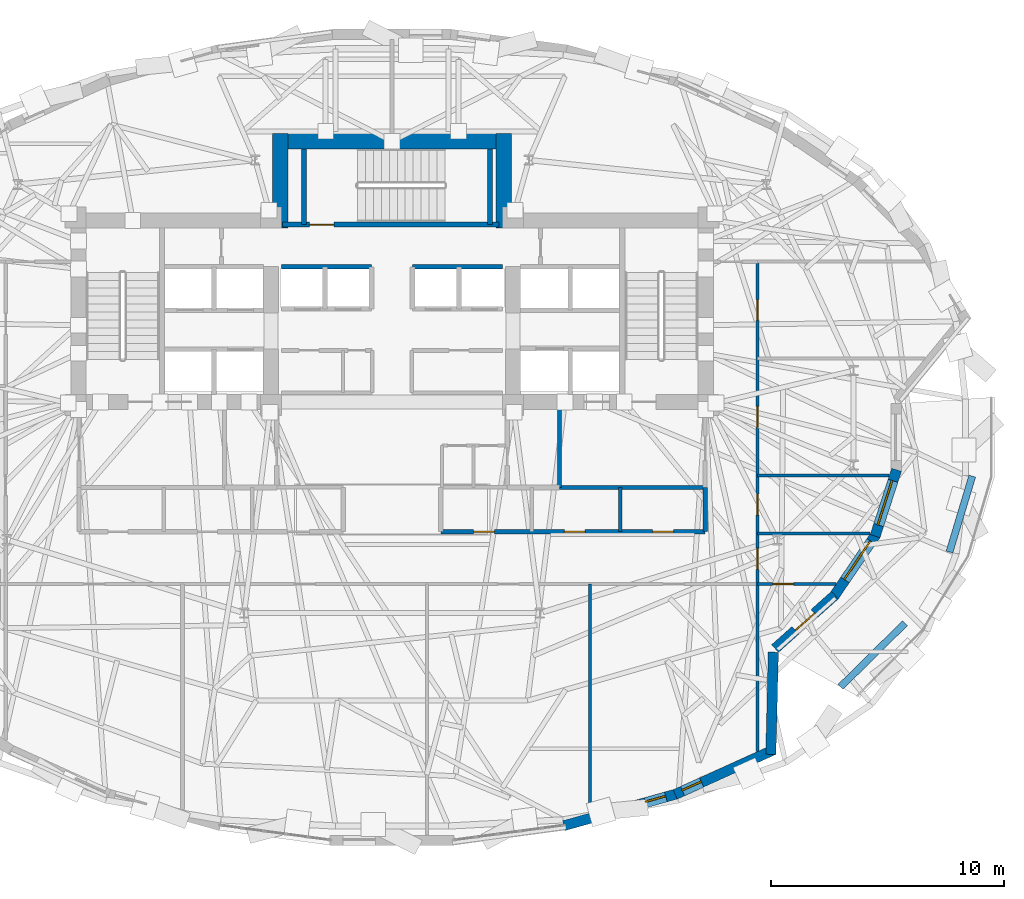
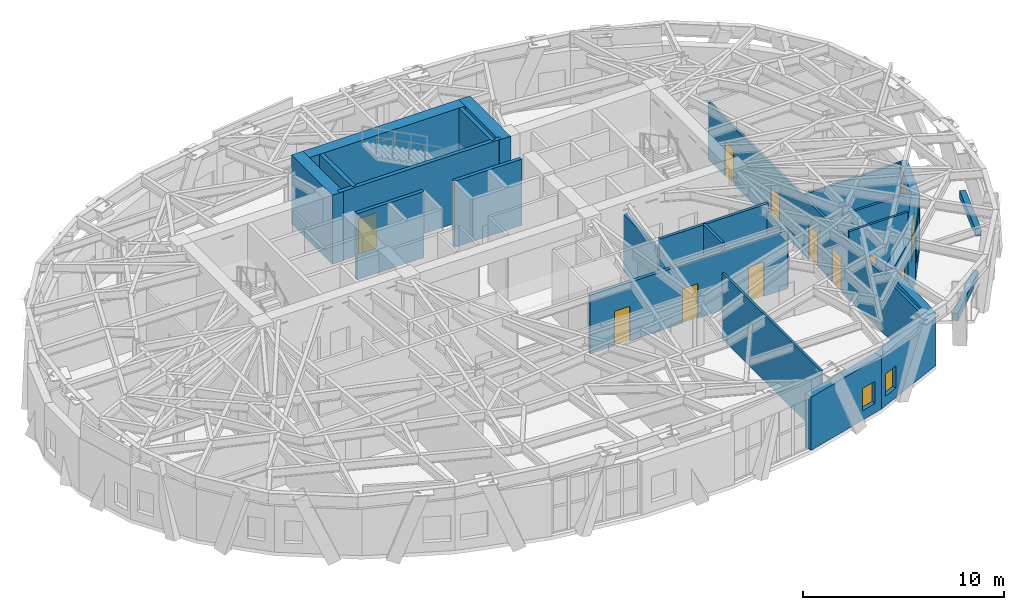
# One storey, part 10 of 16: 26 walls, 10 doors, 4 windows, 14 openings.
"""IFC4 building model written with IfcOpenShell, lengths in metres."""

from ifc_helpers import new_model, si_unit, direction, frame, frame_2d, origin, place, context, subcontext, project, spatial, rectangle, extrude, material, layer, layer_set, type_object, element, fill, save


model = new_model("IFC4")

# Units and contexts
model_context = context("Model", 3, precision=1e-05, world=origin(), true_north=direction((0.0, 1.0)))
body_context = subcontext(model_context, "Body", "Model", "MODEL_VIEW")
ifc_project = project(units=[si_unit("LENGTHUNIT", "METRE"), si_unit("AREAUNIT", "SQUARE_METRE"), si_unit("VOLUMEUNIT", "CUBIC_METRE"), si_unit("PLANEANGLEUNIT", "RADIAN"), si_unit("MASSUNIT", "GRAM", prefix="KILO")], contexts=[model_context])

# Site, building, storey
site_placement = place(None, origin())
site = spatial("IfcSite", under=ifc_project, at=site_placement, CompositionType="ELEMENT")
building_placement = place(site_placement, origin())
building = spatial("IfcBuilding", under=site, at=building_placement, Name="Keldmark Tower", CompositionType="ELEMENT")
storey_placement = place(building_placement, frame((0.0, 0.0, 139.60009765625)))
storey = spatial("IfcBuildingStorey", under=building, at=storey_placement, Name="L37", CompositionType="ELEMENT", Elevation=139.60009765625)

# Wall, openings, doors
ifc_material_1 = material(Name="Acoustic Double-Layer Gypsum Corridor Partition", Category="gypsum")
ifc_layer_1 = layer(ifc_material_1, 0.139892578125)
ifc_layer_set_1 = layer_set([ifc_layer_1], Name="Acoustic Double-Layer Gypsum Corridor Partition")
wall_type_1 = type_object("IfcWallType", Name="Acoustic Corridor Partition 140 mm", PredefinedType="PARTITIONING", material=ifc_layer_set_1)
wall_1_placement = place(storey_placement, frame((15.699951171875, -13.48828125, 0.0), z_axis=(0.0, 0.0, 1.0), x_axis=(0.0, 1.0, 0.0)))
wall_1 = element("IfcWall", 1, at=wall_1_placement, inside=storey, type_object=wall_type_1, Name="L37 Acoustic Corridor Partition 140 mm COR-E", PredefinedType="PARTITIONING", context=body_context, shape_type="SweptSolid", body=[
    extrude(rectangle(XDim=21.038330078125, YDim=0.139892578125, at=frame_2d((10.51904296875, 0.0))), origin(), (0.0, 0.0, 1.0), 3.472900390625),
])
opening_1_placement = place(wall_1_placement, frame((7.82080078125, 0.0, 0.0)))
opening_1 = element("IfcOpeningElement", 2, at=opening_1_placement, cuts=wall_1, Name="Opening D-IN090", PredefinedType="OPENING", context=body_context, shape_type="SweptSolid", body=[
    extrude(rectangle(XDim=0.89990234375, YDim=2.10009765625, at=frame_2d((0.449951171875, 1.050048828125))), frame((0.0, 0.079833984375, 0.0), z_axis=(0.0, -1.0, 0.0), x_axis=(1.0, 0.0, 0.0)), (0.0, 0.0, 1.0), 0.159912109375),
])
opening_2_placement = place(wall_1_placement, frame((10.15283203125, 0.0, 0.0)))
opening_2 = element("IfcOpeningElement", 3, at=opening_2_placement, cuts=wall_1, Name="Opening D-IN090", PredefinedType="OPENING", context=body_context, shape_type="SweptSolid", body=[
    extrude(rectangle(XDim=0.89990234375, YDim=2.10009765625, at=frame_2d((0.449951171875, 1.050048828125))), frame((0.0, 0.079833984375, 0.0), z_axis=(0.0, -1.0, 0.0), x_axis=(1.0, 0.0, 0.0)), (0.0, 0.0, 1.0), 0.159912109375),
])
opening_3_placement = place(wall_1_placement, frame((13.9208984375, 0.0, 0.0)))
opening_3 = element("IfcOpeningElement", 4, at=opening_3_placement, cuts=wall_1, Name="Opening D-IN090", PredefinedType="OPENING", context=body_context, shape_type="SweptSolid", body=[
    extrude(rectangle(XDim=0.89990234375, YDim=2.10009765625, at=frame_2d((0.449951171875, 1.050048828125))), frame((0.0, 0.079833984375, 0.0), z_axis=(0.0, -1.0, 0.0), x_axis=(1.0, 0.0, 0.0)), (0.0, 0.0, 1.0), 0.159912109375),
])
opening_4_placement = place(wall_1_placement, frame((18.512939453125, 0.0, 0.0)))
opening_4 = element("IfcOpeningElement", 5, at=opening_4_placement, cuts=wall_1, Name="Opening D-IN090", PredefinedType="OPENING", context=body_context, shape_type="SweptSolid", body=[
    extrude(rectangle(XDim=0.89990234375, YDim=2.10009765625, at=frame_2d((0.449951171875, 1.050048828125))), frame((0.0, 0.079833984375, 0.0), z_axis=(0.0, -1.0, 0.0), x_axis=(1.0, 0.0, 0.0)), (0.0, 0.0, 1.0), 0.159912109375),
])
ifc_material_2 = material(Name="Stained American White Oak Veneer", Category="wood")
door_type_1 = type_object("IfcDoorType", Name="Interior Door 900x2100", OperationType="NOTDEFINED", PredefinedType="DOOR", material=ifc_material_2)
door_1_placement = place(opening_1_placement, origin())
door_1 = element("IfcDoor", 6, at=door_1_placement, inside=storey, type_object=door_type_1, Name="L37 Interior Door 900x2100 D-ER-1-L37", OperationType="SINGLE_SWING_LEFT", OverallHeight=2.10009765625, OverallWidth=0.89990234375, PredefinedType="DOOR", context=body_context, shape_type="SweptSolid", body=[
    extrude(rectangle(XDim=0.89990234375, YDim=2.10009765625, at=frame_2d((0.449951171875, 1.050048828125))), frame((0.0, 0.02490234375, 0.0), z_axis=(0.0, -1.0, 0.0), x_axis=(1.0, 0.0, 0.0)), (0.0, 0.0, 1.0), 0.050048828125),
])
fill(opening_1, door_1)
door_2_placement = place(opening_2_placement, origin())
door_2 = element("IfcDoor", 7, at=door_2_placement, inside=storey, type_object=door_type_1, Name="L37 Interior Door 900x2100 D-ETERR-L37", OperationType="SINGLE_SWING_RIGHT", OverallHeight=2.10009765625, OverallWidth=0.89990234375, PredefinedType="DOOR", context=body_context, shape_type="SweptSolid", body=[
    extrude(rectangle(XDim=0.89990234375, YDim=2.10009765625, at=frame_2d((0.449951171875, 1.050048828125))), frame((0.0, 0.02490234375, 0.0), z_axis=(0.0, -1.0, 0.0), x_axis=(1.0, 0.0, 0.0)), (0.0, 0.0, 1.0), 0.050048828125),
])
fill(opening_2, door_2)
door_3_placement = place(opening_3_placement, origin())
door_3 = element("IfcDoor", 8, at=door_3_placement, inside=storey, type_object=door_type_1, Name="L37 Interior Door 900x2100 D-ER-3-L37", OperationType="SINGLE_SWING_RIGHT", OverallHeight=2.10009765625, OverallWidth=0.89990234375, PredefinedType="DOOR", context=body_context, shape_type="SweptSolid", body=[
    extrude(rectangle(XDim=0.89990234375, YDim=2.10009765625, at=frame_2d((0.449951171875, 1.050048828125))), frame((0.0, 0.02490234375, 0.0), z_axis=(0.0, -1.0, 0.0), x_axis=(1.0, 0.0, 0.0)), (0.0, 0.0, 1.0), 0.050048828125),
])
fill(opening_3, door_3)
door_4_placement = place(opening_4_placement, origin())
door_4 = element("IfcDoor", 9, at=door_4_placement, inside=storey, type_object=door_type_1, Name="L37 Interior Door 900x2100 D-ER-4-L37", OperationType="SINGLE_SWING_LEFT", OverallHeight=2.10009765625, OverallWidth=0.89990234375, PredefinedType="DOOR", context=body_context, shape_type="SweptSolid", body=[
    extrude(rectangle(XDim=0.89990234375, YDim=2.10009765625, at=frame_2d((0.449951171875, 1.050048828125))), frame((0.0, 0.02490234375, 0.0), z_axis=(0.0, -1.0, 0.0), x_axis=(1.0, 0.0, 0.0)), (0.0, 0.0, 1.0), 0.050048828125),
])
fill(opening_4, door_4)

ifc_material_3 = material(Name="Heavy Acoustic Plumbing Chase Gypsum Assembly", Category="gypsum")
ifc_layer_2 = layer(ifc_material_3, 0.18994140625)
ifc_layer_set_2 = layer_set([ifc_layer_2], Name="Heavy Acoustic Plumbing Chase Gypsum Assembly")
wall_type_2 = type_object("IfcWallType", Name="Heavy Wet Wall 190 mm", PredefinedType="PLUMBINGWALL", material=ifc_layer_set_2)
wall_2_placement = place(storey_placement, frame((2.10009765625, -4.050048828125, 0.0), z_axis=(0.0, 0.0, 1.0), x_axis=(1.0, 0.0, 0.0)))
wall_2 = element("IfcWall", 10, at=wall_2_placement, inside=storey, type_object=wall_type_2, Name="L37 Heavy Wet Wall 190 mm SPK-E-S", PredefinedType="PLUMBINGWALL", context=body_context, shape_type="SweptSolid", body=[
    extrude(rectangle(XDim=11.349853515625, YDim=0.18994140625, at=frame_2d((5.6748046875, 0.0))), origin(), (0.0, 0.0, 1.0), 3.554931640625),
])
opening_5_placement = place(wall_2_placement, frame((1.39990234375, 0.0, 0.0)))
opening_5 = element("IfcOpeningElement", 11, at=opening_5_placement, cuts=wall_2, Name="Opening D-IN090", PredefinedType="OPENING", context=body_context, shape_type="SweptSolid", body=[
    extrude(rectangle(XDim=0.89990234375, YDim=2.10009765625, at=frame_2d((0.449951171875, 1.050048828125))), frame((0.0, 0.10498046875, 0.0), z_axis=(0.0, -1.0, 0.0), x_axis=(1.0, 0.0, 0.0)), (0.0, 0.0, 1.0), 0.2099609375),
])
opening_6_placement = place(wall_2_placement, frame((5.300048828125, 0.0, 0.0)))
opening_6 = element("IfcOpeningElement", 12, at=opening_6_placement, cuts=wall_2, Name="Opening D-IN090", PredefinedType="OPENING", context=body_context, shape_type="SweptSolid", body=[
    extrude(rectangle(XDim=0.89990234375, YDim=2.10009765625, at=frame_2d((0.449951171875, 1.050048828125))), frame((0.0, 0.10498046875, 0.0), z_axis=(0.0, -1.0, 0.0), x_axis=(1.0, 0.0, 0.0)), (0.0, 0.0, 1.0), 0.2099609375),
])
opening_7_placement = place(wall_2_placement, frame((9.10009765625, 0.0, 0.0)))
opening_7 = element("IfcOpeningElement", 13, at=opening_7_placement, cuts=wall_2, Name="Opening D-IN090", PredefinedType="OPENING", context=body_context, shape_type="SweptSolid", body=[
    extrude(rectangle(XDim=0.89990234375, YDim=2.10009765625, at=frame_2d((0.449951171875, 1.050048828125))), frame((0.0, 0.10498046875, 0.0), z_axis=(0.0, -1.0, 0.0), x_axis=(1.0, 0.0, 0.0)), (0.0, 0.0, 1.0), 0.2099609375),
])
door_5_placement = place(opening_5_placement, origin())
door_5 = element("IfcDoor", 14, at=door_5_placement, inside=storey, type_object=door_type_1, Name="L37 Interior Door 900x2100 D-SPKE1-L37", OperationType="SINGLE_SWING_RIGHT", OverallHeight=2.10009765625, OverallWidth=0.89990234375, PredefinedType="DOOR", context=body_context, shape_type="SweptSolid", body=[
    extrude(rectangle(XDim=0.89990234375, YDim=2.10009765625, at=frame_2d((0.449951171875, 1.050048828125))), frame((0.0, 0.02490234375, 0.0), z_axis=(0.0, -1.0, 0.0), x_axis=(1.0, 0.0, 0.0)), (0.0, 0.0, 1.0), 0.050048828125),
])
fill(opening_5, door_5)
door_6_placement = place(opening_6_placement, origin())
door_6 = element("IfcDoor", 15, at=door_6_placement, inside=storey, type_object=door_type_1, Name="L37 Interior Door 900x2100 D-SPKE2-L37", OperationType="SINGLE_SWING_LEFT", OverallHeight=2.10009765625, OverallWidth=0.89990234375, PredefinedType="DOOR", context=body_context, shape_type="SweptSolid", body=[
    extrude(rectangle(XDim=0.89990234375, YDim=2.10009765625, at=frame_2d((0.449951171875, 1.050048828125))), frame((0.0, 0.02490234375, 0.0), z_axis=(0.0, -1.0, 0.0), x_axis=(1.0, 0.0, 0.0)), (0.0, 0.0, 1.0), 0.050048828125),
])
fill(opening_6, door_6)
door_7_placement = place(opening_7_placement, origin())
door_7 = element("IfcDoor", 16, at=door_7_placement, inside=storey, type_object=door_type_1, Name="L37 Interior Door 900x2100 D-SPKE3-L37", OperationType="SINGLE_SWING_RIGHT", OverallHeight=2.10009765625, OverallWidth=0.89990234375, PredefinedType="DOOR", context=body_context, shape_type="SweptSolid", body=[
    extrude(rectangle(XDim=0.89990234375, YDim=2.10009765625, at=frame_2d((0.449951171875, 1.050048828125))), frame((0.0, 0.02490234375, 0.0), z_axis=(0.0, -1.0, 0.0), x_axis=(1.0, 0.0, 0.0)), (0.0, 0.0, 1.0), 0.050048828125),
])
fill(opening_7, door_7)

# Walls
wall_3_placement = place(storey_placement, frame((13.449951171875, -4.050048828125, 0.0), z_axis=(0.0, 0.0, 1.0), x_axis=(0.0, 1.0, 0.0)))
element("IfcWall", 17, at=wall_3_placement, inside=storey, type_object=wall_type_2, Name="L37 Heavy Wet Wall 190 mm SPK-E-E", PredefinedType="PLUMBINGWALL", context=body_context, shape_type="SweptSolid", body=[
    extrude(rectangle(XDim=1.900146484375, YDim=0.18994140625, at=frame_2d((0.9501953125, 0.0))), origin(), (0.0, 0.0, 1.0), 3.472900390625),
])
ifc_material_4 = material(Name="Acoustic Gypsum Board Interior Partition", Category="gypsum")
ifc_layer_3 = layer(ifc_material_4, 0.1298828125)
ifc_layer_set_3 = layer_set([ifc_layer_3], Name="Acoustic Gypsum Board Interior Partition")
wall_type_3 = type_object("IfcWallType", Name="Interior Partition 130 mm", PredefinedType="PARTITIONING", material=ifc_layer_set_3)
wall_4_placement = place(storey_placement, frame((8.5, -16.128662109375, 0.0), z_axis=(0.0, 0.0, 1.0), x_axis=(0.0, 1.0, 0.0)))
element("IfcWall", 18, at=wall_4_placement, inside=storey, type_object=wall_type_3, Name="L37 Interior Partition 130 mm S-DIV-3", PredefinedType="PARTITIONING", context=body_context, shape_type="SweptSolid", body=[
    extrude(rectangle(XDim=9.82861328125, YDim=0.1298828125, at=frame_2d((4.914306640625, 0.0))), origin(), (0.0, 0.0, 1.0), 4.02001953125),
])

# Wall, opening, door
wall_5_placement = place(storey_placement, frame((15.699951171875, -6.300048828125, 0.0), z_axis=(0.0, 0.0, 1.0), x_axis=(1.0, 0.0, 0.0)))
wall_5 = element("IfcWall", 19, at=wall_5_placement, inside=storey, type_object=wall_type_3, Name="L37 Interior Partition 130 mm E-CAP-S", PredefinedType="PARTITIONING", context=body_context, shape_type="SweptSolid", body=[
    extrude(rectangle(XDim=3.365234375, YDim=0.1298828125, at=frame_2d((1.6826171875, 0.0))), origin(), (0.0, 0.0, 1.0), 4.02001953125),
])
opening_8_placement = place(wall_5_placement, frame((0.64990234375, 0.0, 0.0)))
opening_8 = element("IfcOpeningElement", 20, at=opening_8_placement, cuts=wall_5, Name="Opening D-IN090", PredefinedType="OPENING", context=body_context, shape_type="SweptSolid", body=[
    extrude(rectangle(XDim=0.89990234375, YDim=2.10009765625, at=frame_2d((0.449951171875, 1.050048828125))), frame((0.0, 0.074951171875, 0.0), z_axis=(0.0, -1.0, 0.0), x_axis=(1.0, 0.0, 0.0)), (0.0, 0.0, 1.0), 0.14990234375),
])
door_8_placement = place(opening_8_placement, origin())
door_8 = element("IfcDoor", 21, at=door_8_placement, inside=storey, type_object=door_type_1, Name="L37 Interior Door 900x2100 D-ERSE-L37", OperationType="SINGLE_SWING_RIGHT", OverallHeight=2.10009765625, OverallWidth=0.89990234375, PredefinedType="DOOR", context=body_context, shape_type="SweptSolid", body=[
    extrude(rectangle(XDim=0.89990234375, YDim=2.10009765625, at=frame_2d((0.449951171875, 1.050048828125))), frame((0.0, 0.02490234375, 0.0), z_axis=(0.0, -1.0, 0.0), x_axis=(1.0, 0.0, 0.0)), (0.0, 0.0, 1.0), 0.050048828125),
])
fill(opening_8, door_8)

# Walls
wall_6_placement = place(storey_placement, frame((15.699951171875, -4.135009765625, 0.0), z_axis=(0.0, 0.0, 1.0), x_axis=(1.0, 0.0, 0.0)))
element("IfcWall", 22, at=wall_6_placement, inside=storey, type_object=wall_type_3, Name="L37 Interior Partition 130 mm E-DIV-1", PredefinedType="PARTITIONING", context=body_context, shape_type="SweptSolid", body=[
    extrude(rectangle(XDim=4.839111328125, YDim=0.1298828125, at=frame_2d((2.41943359375, 0.0))), origin(), (0.0, 0.0, 1.0), 3.39794921875),
])
wall_7_placement = place(storey_placement, frame((15.699951171875, -1.635009765625, 0.0), z_axis=(0.0, 0.0, 1.0), x_axis=(1.0, 0.0, 0.0)))
element("IfcWall", 23, at=wall_7_placement, inside=storey, type_object=wall_type_3, Name="L37 Interior Partition 130 mm E-DIV-2", PredefinedType="PARTITIONING", context=body_context, shape_type="SweptSolid", body=[
    extrude(rectangle(XDim=5.656494140625, YDim=0.1298828125, at=frame_2d((2.828125, 0.0))), origin(), (0.0, 0.0, 1.0), 3.39794921875),
])
ifc_material_5 = material(Name="Type X Fire-Rated Gypsum Partition Assembly", Category="gypsum")
ifc_layer_4 = layer(ifc_material_5, 0.1650390625)
ifc_layer_set_4 = layer_set([ifc_layer_4], Name="Type X Fire-Rated Gypsum Partition Assembly")
wall_type_4 = type_object("IfcWallType", Name="Rated Partition 165 mm", PredefinedType="PARTITIONING", material=ifc_layer_set_4)
wall_8_placement = place(storey_placement, frame((7.199951171875, -2.14990234375, 0.0), z_axis=(0.0, 0.0, 1.0), x_axis=(1.0, 0.0, 0.0)))
element("IfcWall", 24, at=wall_8_placement, inside=storey, type_object=wall_type_4, Name="L37 Rated Partition 165 mm FSAE-E-S", PredefinedType="PARTITIONING", context=body_context, shape_type="SweptSolid", body=[
    extrude(rectangle(XDim=6.25, YDim=0.1650390625, at=frame_2d((3.125, 0.0))), origin(), (0.0, 0.0, 1.0), 4.02001953125),
])
wall_9_placement = place(storey_placement, frame((7.199951171875, -2.14990234375, 0.0), z_axis=(0.0, 0.0, 1.0), x_axis=(0.0, 1.0, 0.0)))
element("IfcWall", 25, at=wall_9_placement, inside=storey, type_object=wall_type_4, Name="L37 Rated Partition 165 mm FSAE-E-W", PredefinedType="PARTITIONING", context=body_context, shape_type="SweptSolid", body=[
    extrude(rectangle(XDim=3.39990234375, YDim=0.1650390625, at=frame_2d((1.699951171875, 0.0))), origin(), (0.0, 0.0, 1.0), 3.472900390625),
])
ifc_material_6 = material(Name="Fire-Resistant Type X Gypsum Shaftliner Coreboard", Category="gypsum")
ifc_layer_5 = layer(ifc_material_6, 0.199951171875)
ifc_layer_set_5 = layer_set([ifc_layer_5], Name="Fire-Resistant Type X Gypsum Shaftliner Coreboard")
wall_type_5 = type_object("IfcWallType", Name="Shaft Wall 200 mm", PredefinedType="SOLIDWALL", material=ifc_layer_set_5)
for number, where, z_axis, x_axis, name in (
    (26, (-4.739990234375, 7.330078125, 0.0), (0.0, 0.0, 1.0), (1.0, 0.0, 0.0), "L37 Shaft Wall 200 mm MID-N-W"),
    (27, (0.8798828125, 7.330078125, 0.0), (0.0, 0.0, 1.0), (1.0, 0.0, 0.0), "L37 Shaft Wall 200 mm MID-N-E"),
):
    element("IfcWall", number, at=place(storey_placement, frame(where, z_axis=z_axis, x_axis=x_axis)), inside=storey, type_object=wall_type_5, Name=name, PredefinedType="SOLIDWALL", context=body_context, shape_type="SweptSolid", body=[
        extrude(rectangle(XDim=3.860107421875, YDim=0.199951171875, at=frame_2d((1.93017578125, 0.0))), origin(), (0.0, 0.0, 1.0), 4.02001953125),
    ])

# Wall, opening, door
ifc_material_7 = material(Name="Concrete C50/60", Category="concrete")
ifc_layer_6 = layer(ifc_material_7, 0.219970703125)
ifc_layer_set_6 = layer_set([ifc_layer_6], Name="Concrete C50/60")
wall_type_6 = type_object("IfcWallType", Name="Stair Core Shear Wall 220 mm", PredefinedType="SHEAR", material=ifc_layer_set_6)
wall_10_placement = place(storey_placement, frame((-4.699951171875, 9.139892578125, 0.0), z_axis=(0.0, 0.0, 1.0), x_axis=(1.0, 0.0, 0.0)))
wall_10 = element("IfcWall", 28, at=wall_10_placement, inside=storey, type_object=wall_type_6, Name="L37 Central Stair Core South Shear Wall", PredefinedType="SHEAR", context=body_context, shape_type="SweptSolid", body=[
    extrude(rectangle(XDim=9.300048828125, YDim=0.219970703125, at=frame_2d((4.64990234375, 0.0))), origin(), (0.0, 0.0, 1.0), 4.199951171875),
])
opening_9_placement = place(wall_10_placement, frame((1.14990234375, 0.0, 0.0)))
opening_9 = element("IfcOpeningElement", 29, at=opening_9_placement, cuts=wall_10, Name="Opening D-ST105", PredefinedType="OPENING", context=body_context, shape_type="SweptSolid", body=[
    extrude(rectangle(XDim=1.050048828125, YDim=2.14990234375, at=frame_2d((0.52490234375, 1.074951171875))), frame((0.0, 0.119873046875, 0.0), z_axis=(0.0, -1.0, 0.0), x_axis=(1.0, 0.0, 0.0)), (0.0, 0.0, 1.0), 0.239990234375),
])
ifc_material_8 = material(Name="Hollow Metal Fire-Rated Door Assembly", Category="metal")
door_type_2 = type_object("IfcDoorType", Name="Stair Fire Door 1050x2150", OperationType="NOTDEFINED", PredefinedType="DOOR", material=ifc_material_8)
door_9_placement = place(opening_9_placement, origin())
door_9 = element("IfcDoor", 30, at=door_9_placement, inside=storey, type_object=door_type_2, Name="L37 Stair Fire Door 1050x2150 D-ST3-L37", OperationType="SINGLE_SWING_RIGHT", OverallHeight=2.14990234375, OverallWidth=1.050048828125, PredefinedType="DOOR", context=body_context, shape_type="SweptSolid", body=[
    extrude(rectangle(XDim=1.050048828125, YDim=2.14990234375, at=frame_2d((0.52490234375, 1.074951171875))), frame((0.0, 0.02490234375, 0.0), z_axis=(0.0, -1.0, 0.0), x_axis=(1.0, 0.0, 0.0)), (0.0, 0.0, 1.0), 0.050048828125),
])
fill(opening_9, door_9)

# Walls
for number, where, z_axis, x_axis, name in (
    (31, (-3.784912109375, 9.139892578125, 0.0), (0.0, 0.0, 1.0), (0.0, 1.0, 0.0), "L37 Central Stair Core West Shear Wall"),
    (32, (4.215087890625, 9.139892578125, 0.0), (0.0, 0.0, 1.0), (0.0, 1.0, 0.0), "L37 Central Stair Core East Shear Wall"),
):
    element("IfcWall", number, at=place(storey_placement, frame(where, z_axis=z_axis, x_axis=x_axis)), inside=storey, type_object=wall_type_6, Name=name, PredefinedType="SHEAR", context=body_context, shape_type="SweptSolid", body=[
        extrude(rectangle(XDim=3.260009765625, YDim=0.219970703125, at=frame_2d((1.6298828125, 0.0))), origin(), (0.0, 0.0, 1.0), 4.199951171875),
    ])
ifc_material_9 = material(Name="Ironspot Manganese Brick Planter Masonry", Category="masonry")
ifc_layer_7 = layer(ifc_material_9, 0.300048828125)
ifc_layer_set_7 = layer_set([ifc_layer_7], Name="Ironspot Manganese Brick Planter Masonry")
wall_type_7 = type_object("IfcWallType", Name="Terrace Brick Planter Kerb Wall 300 mm", PredefinedType="PARAPET", material=ifc_layer_set_7)
wall_11_placement = place(storey_placement, frame((19.26806640625, -10.71630859375, 0.0), z_axis=(0.0, 0.0, 1.0), x_axis=(0.711578739804, 0.702606359962, 0.0)))
element("IfcWall", 33, at=wall_11_placement, inside=storey, type_object=wall_type_7, Name="L37 Sky Garden Planter 01", PredefinedType="PARAPET", context=body_context, shape_type="SweptSolid", body=[
    extrude(rectangle(XDim=3.89111328125, YDim=0.300048828125, at=frame_2d((1.945556640625, 0.0))), origin(), (0.0, 0.0, 1.0), 0.449951171875),
])
wall_12_placement = place(storey_placement, frame((23.949951171875, -4.923583984375, 0.0), z_axis=(0.0, 0.0, 1.0), x_axis=(0.287110931175, 0.957897339593, 0.0)))
element("IfcWall", 34, at=wall_12_placement, inside=storey, type_object=wall_type_7, Name="L37 Sky Garden Planter 03", PredefinedType="PARAPET", context=body_context, shape_type="SweptSolid", body=[
    extrude(rectangle(XDim=3.403076171875, YDim=0.300048828125, at=frame_2d((1.70166015625, 0.0))), origin(), (0.0, 0.0, 1.0), 0.449951171875),
])

# Wall, opening, window
ifc_material_10 = material(Name="Ironspot Manganese Brick and Kasota Buff Limestone Spandrel Assembly", Category="masonry")
ifc_layer_8 = layer(ifc_material_10, 0.43994140625)
ifc_layer_set_8 = layer_set([ifc_layer_8], Name="Ironspot Manganese Brick and Kasota Buff Limestone Spandrel Assembly")
wall_type_8 = type_object("IfcWallType", Name="Tower Brick Pier and Spandrel Wall 440 mm", PredefinedType="STANDARD", material=ifc_layer_set_8)
wall_13_placement = place(storey_placement, frame((12.19677734375, -15.32763671875, 0.0), z_axis=(0.0, 0.0, 1.0), x_axis=(-0.962784823987, -0.270269093129, 0.0)))
wall_13 = element("IfcWall", 35, at=wall_13_placement, inside=storey, type_object=wall_type_8, Name="L37 Exterior Brick and Spandrel Wall 26", PredefinedType="STANDARD", context=body_context, shape_type="SweptSolid", body=[
    extrude(rectangle(XDim=5.000732421875, YDim=0.43994140625, at=frame_2d((2.50048828125, 0.0))), origin(), (0.0, 0.0, 1.0), 3.23779296875),
])
opening_10_placement = place(wall_13_placement, frame((0.44677734375, 0.0, 0.580078125)))
opening_10 = element("IfcOpeningElement", 36, at=opening_10_placement, cuts=wall_13, Name="Opening W-09", PredefinedType="OPENING", context=body_context, shape_type="SweptSolid", body=[
    extrude(rectangle(XDim=0.89990234375, YDim=1.35009765625, at=frame_2d((0.449951171875, 0.675048828125))), frame((0.0, 0.22998046875, 0.0), z_axis=(0.0, -1.0, 0.0), x_axis=(1.0, 0.0, 0.0)), (0.0, 0.0, 1.0), 0.4599609375),
])
ifc_material_11 = material(Name="Thermally Broken Anodized Aluminum and Triple Low-E Argon Glazing", Category="aluminium")
window_type_1 = type_object("IfcWindowType", Name="Corner Pier Deep-Set Window 900x1350", PartitioningType="SINGLE_PANEL", PredefinedType="WINDOW", material=ifc_material_11)
window_1_placement = place(opening_10_placement, origin())
window_1 = element("IfcWindow", 37, at=window_1_placement, inside=storey, type_object=window_type_1, Name="L37 Deep-Set Window 26", OverallHeight=1.35009765625, OverallWidth=0.89990234375, PartitioningType="SINGLE_PANEL", PredefinedType="WINDOW", context=body_context, shape_type="SweptSolid", body=[
    extrude(rectangle(XDim=0.89990234375, YDim=1.35009765625, at=frame_2d((0.449951171875, 0.675048828125))), frame((0.0, -0.010009765625, 0.0), z_axis=(0.0, -1.0, 0.0), x_axis=(1.0, 0.0, 0.0)), (0.0, 0.0, 1.0), 0.06005859375),
])
fill(opening_10, window_1)

wall_14_placement = place(storey_placement, frame((16.4033203125, -13.419921875, 0.0), z_axis=(0.0, 0.0, 1.0), x_axis=(-0.910938924115, -0.412541242221, 0.0)))
wall_14 = element("IfcWall", 38, at=wall_14_placement, inside=storey, type_object=wall_type_8, Name="L37 Exterior Brick and Spandrel Wall 27", PredefinedType="STANDARD", context=body_context, shape_type="SweptSolid", body=[
    extrude(rectangle(XDim=4.652099609375, YDim=0.43994140625, at=frame_2d((2.326171875, 0.0))), origin(), (0.0, 0.0, 1.0), 3.23779296875),
])
opening_11_placement = place(wall_14_placement, frame((3.404296875, 0.0, 0.580078125)))
opening_11 = element("IfcOpeningElement", 39, at=opening_11_placement, cuts=wall_14, Name="Opening W-09", PredefinedType="OPENING", context=body_context, shape_type="SweptSolid", body=[
    extrude(rectangle(XDim=0.89990234375, YDim=1.35009765625, at=frame_2d((0.449951171875, 0.675048828125))), frame((0.0, 0.22998046875, 0.0), z_axis=(0.0, -1.0, 0.0), x_axis=(1.0, 0.0, 0.0)), (0.0, 0.0, 1.0), 0.4599609375),
])
window_2_placement = place(opening_11_placement, origin())
window_2 = element("IfcWindow", 40, at=window_2_placement, inside=storey, type_object=window_type_1, Name="L37 Deep-Set Window 27", OverallHeight=1.35009765625, OverallWidth=0.89990234375, PartitioningType="SINGLE_PANEL", PredefinedType="WINDOW", context=body_context, shape_type="SweptSolid", body=[
    extrude(rectangle(XDim=0.89990234375, YDim=1.35009765625, at=frame_2d((0.449951171875, 0.675048828125))), frame((0.0, -0.010009765625, 0.0), z_axis=(0.0, -1.0, 0.0), x_axis=(1.0, 0.0, 0.0)), (0.0, 0.0, 1.0), 0.06005859375),
])
fill(opening_11, window_2)

# Wall
wall_15_placement = place(storey_placement, frame((16.3828125, -9.228515625, 0.0), z_axis=(0.0, 0.0, 1.0), x_axis=(-0.02470442983, -0.999694799, 0.0)))
element("IfcWall", 41, at=wall_15_placement, inside=storey, type_object=wall_type_8, Name="L37 Exterior Brick and Spandrel Wall 28", PredefinedType="STANDARD", context=body_context, shape_type="SweptSolid", body=[
    extrude(rectangle(XDim=4.3876953125, YDim=0.43994140625, at=frame_2d((2.19384765625, 0.0))), origin(), (0.0, 0.0, 1.0), 3.241943359375),
])

# Wall, opening, door
wall_16_placement = place(storey_placement, frame((19.022705078125, -6.779541015625, 0.0), z_axis=(0.0, 0.0, 1.0), x_axis=(-0.746170592537, -0.665754794825, 0.0)))
wall_16 = element("IfcWall", 42, at=wall_16_placement, inside=storey, type_object=wall_type_8, Name="L37 Exterior Brick and Spandrel Wall 29", PredefinedType="STANDARD", context=body_context, shape_type="SweptSolid", body=[
    extrude(rectangle(XDim=3.439697265625, YDim=0.43994140625, at=frame_2d((1.7197265625, 0.0))), origin(), (0.0, 0.0, 1.0), 3.241943359375),
])
opening_12_placement = place(wall_16_placement, frame((1.169921875, 0.0, 0.0)))
opening_12 = element("IfcOpeningElement", 43, at=opening_12_placement, cuts=wall_16, Name="Opening TD-01", PredefinedType="OPENING", context=body_context, shape_type="SweptSolid", body=[
    extrude(rectangle(XDim=1.10009765625, YDim=2.14990234375, at=frame_2d((0.550048828125, 1.074951171875))), frame((0.0, 0.22998046875, 0.0), z_axis=(0.0, -1.0, 0.0), x_axis=(1.0, 0.0, 0.0)), (0.0, 0.0, 1.0), 0.4599609375),
])
ifc_material_12 = material(Name="Thermally Broken Painted Aluminum and Laminated Safety Glass", Category="aluminium")
door_type_3 = type_object("IfcDoorType", Name="Sky Garden Terrace Glazed Door 1100x2150", OperationType="SINGLE_SWING_LEFT", PredefinedType="DOOR", material=ifc_material_12)
door_10_placement = place(opening_12_placement, origin())
door_10 = element("IfcDoor", 44, at=door_10_placement, inside=storey, type_object=door_type_3, Name="L37 Sky-Garden Terrace Door 29", OperationType="SINGLE_SWING_LEFT", OverallHeight=2.14990234375, OverallWidth=1.10009765625, PredefinedType="DOOR", context=body_context, shape_type="SweptSolid", body=[
    extrude(rectangle(XDim=1.10009765625, YDim=2.14990234375, at=frame_2d((0.550048828125, 1.074951171875))), frame((0.0, 0.02490234375, 0.0), z_axis=(0.0, -1.0, 0.0), x_axis=(1.0, 0.0, 0.0)), (0.0, 0.0, 1.0), 0.050048828125),
])
fill(opening_12, door_10)

# Wall, opening, window
wall_17_placement = place(storey_placement, frame((20.780517578125, -4.185546875, 0.0), z_axis=(0.0, 0.0, 1.0), x_axis=(-0.562718580525, -0.826648534222, 0.0)))
wall_17 = element("IfcWall", 45, at=wall_17_placement, inside=storey, type_object=wall_type_8, Name="L37 Exterior Brick and Spandrel Wall 30", PredefinedType="STANDARD", context=body_context, shape_type="SweptSolid", body=[
    extrude(rectangle(XDim=3.186767578125, YDim=0.43994140625, at=frame_2d((1.59326171875, 0.0))), origin(), (0.0, 0.0, 1.0), 3.241943359375),
])
opening_13_placement = place(wall_17_placement, frame((0.347412109375, 0.0, 0.60009765625)))
opening_13 = element("IfcOpeningElement", 46, at=opening_13_placement, cuts=wall_17, Name="Opening W-06", PredefinedType="OPENING", context=body_context, shape_type="SweptSolid", body=[
    extrude(rectangle(XDim=2.0, YDim=2.10009765625, at=frame_2d((1.0, 1.050048828125))), frame((0.0, 0.22998046875, 0.0), z_axis=(0.0, -1.0, 0.0), x_axis=(1.0, 0.0, 0.0)), (0.0, 0.0, 1.0), 0.4599609375),
])
ifc_material_13 = material(Name="Thermally Broken Anodized Aluminum and Triple Low-E Argon Glazing", Category="aluminium")
window_type_2 = type_object("IfcWindowType", Name="Sky Lounge Tall Punched Window 2000x2100", PartitioningType="SINGLE_PANEL", PredefinedType="WINDOW", material=ifc_material_13)
window_3_placement = place(opening_13_placement, origin())
window_3 = element("IfcWindow", 47, at=window_3_placement, inside=storey, type_object=window_type_2, Name="L37 Deep-Set Window 30", OverallHeight=2.10009765625, OverallWidth=2.0, PartitioningType="SINGLE_PANEL", PredefinedType="WINDOW", context=body_context, shape_type="SweptSolid", body=[
    extrude(rectangle(XDim=2.0, YDim=2.10009765625, at=frame_2d((1.0, 1.050048828125))), frame((0.0, -0.010009765625, 0.0), z_axis=(0.0, -1.0, 0.0), x_axis=(1.0, 0.0, 0.0)), (0.0, 0.0, 1.0), 0.06005859375),
])
fill(opening_13, window_3)

wall_18_placement = place(storey_placement, frame((21.67431640625, -1.39306640625, 0.0), z_axis=(0.0, 0.0, 1.0), x_axis=(-0.307750808514, -0.951466993573, 0.0)))
wall_18 = element("IfcWall", 48, at=wall_18_placement, inside=storey, type_object=wall_type_8, Name="L37 Exterior Brick and Spandrel Wall 31", PredefinedType="STANDARD", context=body_context, shape_type="SweptSolid", body=[
    extrude(rectangle(XDim=2.993896484375, YDim=0.43994140625, at=frame_2d((1.4970703125, 0.0))), origin(), (0.0, 0.0, 1.0), 3.241943359375),
])
opening_14_placement = place(wall_18_placement, frame((0.4970703125, 0.0, 0.60009765625)))
opening_14 = element("IfcOpeningElement", 49, at=opening_14_placement, cuts=wall_18, Name="Opening W-06", PredefinedType="OPENING", context=body_context, shape_type="SweptSolid", body=[
    extrude(rectangle(XDim=2.0, YDim=2.10009765625, at=frame_2d((1.0, 1.050048828125))), frame((0.0, 0.22998046875, 0.0), z_axis=(0.0, -1.0, 0.0), x_axis=(1.0, 0.0, 0.0)), (0.0, 0.0, 1.0), 0.4599609375),
])
window_4_placement = place(opening_14_placement, origin())
window_4 = element("IfcWindow", 50, at=window_4_placement, inside=storey, type_object=window_type_2, Name="L37 Deep-Set Window 31", OverallHeight=2.10009765625, OverallWidth=2.0, PartitioningType="SINGLE_PANEL", PredefinedType="WINDOW", context=body_context, shape_type="SweptSolid", body=[
    extrude(rectangle(XDim=2.0, YDim=2.10009765625, at=frame_2d((1.0, 1.050048828125))), frame((0.0, -0.010009765625, 0.0), z_axis=(0.0, -1.0, 0.0), x_axis=(1.0, 0.0, 0.0)), (0.0, 0.0, 1.0), 0.06005859375),
])
fill(opening_14, window_4)

# Walls
ifc_material_14 = material(Name="Concrete C50/60", Category="concrete")
ifc_layer_9 = layer(ifc_material_14, 0.64990234375)
ifc_layer_set_9 = layer_set([ifc_layer_9], Name="Concrete C50/60")
wall_type_9 = type_object("IfcWallType", Name="Upper-Mid Core Shear Wall 650 mm", PredefinedType="SHEAR", material=ifc_layer_set_9)
wall_19_placement = place(storey_placement, frame((-5.125, 12.72509765625, 0.0), z_axis=(0.0, 0.0, 1.0), x_axis=(1.0, 0.0, 0.0)))
element("IfcWall", 51, at=wall_19_placement, inside=storey, type_object=wall_type_9, Name="L37 North Core Shear Wall", PredefinedType="SHEAR", context=body_context, shape_type="SweptSolid", body=[
    extrude(rectangle(XDim=10.25, YDim=0.64990234375, at=frame_2d((5.125, 0.0))), origin(), (0.0, 0.0, 1.0), 4.199951171875),
])
for number, where, z_axis, x_axis, name in (
    (52, (-4.800048828125, 9.0, 0.0), (0.0, 0.0, 1.0), (0.0, 1.0, 0.0), "L37 North Core West Shear Wall"),
    (53, (4.800048828125, 9.0, 0.0), (0.0, 0.0, 1.0), (0.0, 1.0, 0.0), "L37 North Core East Shear Wall"),
):
    element("IfcWall", number, at=place(storey_placement, frame(where, z_axis=z_axis, x_axis=x_axis)), inside=storey, type_object=wall_type_9, Name=name, PredefinedType="SHEAR", context=body_context, shape_type="SweptSolid", body=[
        extrude(rectangle(XDim=4.050048828125, YDim=0.64990234375, at=frame_2d((2.02490234375, 0.0))), origin(), (0.0, 0.0, 1.0), 4.199951171875),
    ])
ifc_material_15 = material(Name="Moisture-Resistant Gypsum Plumbing Partition", Category="gypsum")
ifc_layer_10 = layer(ifc_material_15, 0.14990234375)
ifc_layer_set_10 = layer_set([ifc_layer_10], Name="Moisture-Resistant Gypsum Plumbing Partition")
wall_type_10 = type_object("IfcWallType", Name="Wet Wall 150 mm", PredefinedType="PLUMBINGWALL", material=ifc_layer_set_10)
wall_20_placement = place(storey_placement, frame((9.800048828125, -4.050048828125, 0.0), z_axis=(0.0, 0.0, 1.0), x_axis=(0.0, 1.0, 0.0)))
element("IfcWall", 54, at=wall_20_placement, inside=storey, type_object=wall_type_10, Name="L37 Wet Wall 150 mm SPK-E-D2", PredefinedType="PLUMBINGWALL", context=body_context, shape_type="SweptSolid", body=[
    extrude(rectangle(XDim=1.900146484375, YDim=0.14990234375, at=frame_2d((0.9501953125, 0.0))), origin(), (0.0, 0.0, 1.0), 4.02001953125),
])

save(model, "model.ifc")
